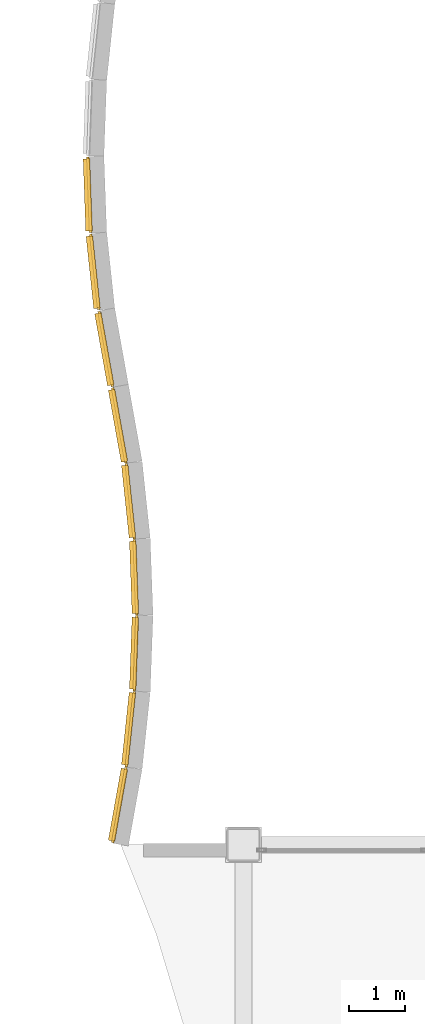
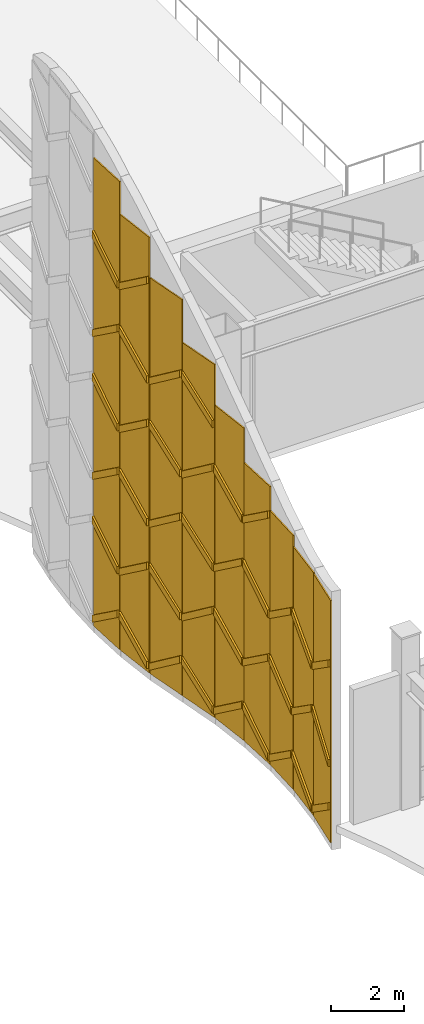
# One storey, part 156 of 172: 48 coverings.
"""IFC4 building model written with IfcOpenShell, lengths in metres."""

from ifc_helpers import new_model, si_unit, direction, frame, origin, origin_2d, place, context, subcontext, project, spatial, polyline, rectangle, outline, extrude, material, layer, layer_set, type_object, element, save


model = new_model("IFC4")

# Units and contexts
model_context = context("Model", 3, precision=1e-05, world=origin(), true_north=direction((0.0, 1.0)))
body_context = subcontext(model_context, "Body", "Model", "MODEL_VIEW")
ifc_project = project(units=[si_unit("LENGTHUNIT", "METRE"), si_unit("AREAUNIT", "SQUARE_METRE"), si_unit("VOLUMEUNIT", "CUBIC_METRE"), si_unit("PLANEANGLEUNIT", "RADIAN"), si_unit("MASSUNIT", "GRAM", prefix="KILO")], contexts=[model_context])

# Site, building, storey
site_placement = place(None, origin())
site = spatial("IfcSite", under=ifc_project, at=site_placement, CompositionType="ELEMENT")
building_placement = place(site_placement, origin())
building = spatial("IfcBuilding", under=site, at=building_placement, Name="Kazehara Bluff Congress Hotel", CompositionType="ELEMENT")
storey_placement = place(building_placement, frame((0.0, 0.0, 5.39990234375)))
storey = spatial("IfcBuildingStorey", under=building, at=storey_placement, Name="L01", CompositionType="ELEMENT", Elevation=5.39990234375)

# Coverings
ifc_material_1 = material(Name="Basalt stone-grey chevron ceramic tile", Category="masonry")
ifc_layer_1 = layer(ifc_material_1, 0.1201171875)
ifc_layer_set_1 = layer_set([ifc_layer_1], Name="Basalt stone-grey chevron ceramic tile")
covering_type_1 = type_object("IfcCoveringType", Name="TP-CHV-RIB", PredefinedType="CLADDING", material=ifc_layer_set_1)
covering_1_placement = place(storey_placement, frame((2.429931640625, 32.030029296875, -0.39990234375), z_axis=(0.0, 0.0, 1.0), x_axis=(0.176136726802, 0.984365711243, 0.0)))
element("IfcCovering", 1, at=covering_1_placement, inside=storey, type_object=covering_type_1, Name="Chevron stone-grey tile rib WR-BRG-01-1", PredefinedType="CLADDING", context=body_context, shape_type="SweptSolid", body=[
    extrude(outline(polyline([(0.0400390625, 0.945068359375), (1.35009765625, 0.0), (1.35009765625, 0.239990234375), (0.0400390625, 1.18505859375), (0.0400390625, 0.945068359375)])), frame((0.0, 0.06005859375, 0.0), z_axis=(0.0, -1.0, 0.0), x_axis=(1.0, 0.0, 0.0)), (0.0, 0.0, 1.0), 0.1201171875),
])
covering_2_placement = place(storey_placement, frame((2.429931640625, 32.030029296875, 2.0), z_axis=(0.0, 0.0, 1.0), x_axis=(0.176136726802, 0.984365711243, 0.0)))
element("IfcCovering", 2, at=covering_2_placement, inside=storey, type_object=covering_type_1, Name="Chevron stone-grey tile rib WR-BRG-01-2", PredefinedType="CLADDING", context=body_context, shape_type="SweptSolid", body=[
    extrude(outline(polyline([(0.0400390625, 0.0), (1.35009765625, 0.945068359375), (1.35009765625, 1.18505859375), (0.0400390625, 0.239990234375), (0.0400390625, 0.0)])), frame((0.0, 0.06005859375, 0.0), z_axis=(0.0, -1.0, 0.0), x_axis=(1.0, 0.0, 0.0)), (0.0, 0.0, 1.0), 0.1201171875),
])
covering_3_placement = place(storey_placement, frame((2.429931640625, 32.030029296875, 4.400146484375), z_axis=(0.0, 0.0, 1.0), x_axis=(0.176136726802, 0.984365711243, 0.0)))
element("IfcCovering", 3, at=covering_3_placement, inside=storey, type_object=covering_type_1, Name="Chevron stone-grey tile rib WR-BRG-01-3", PredefinedType="CLADDING", context=body_context, shape_type="SweptSolid", body=[
    extrude(outline(polyline([(0.0400390625, 0.945068359375), (1.35009765625, 0.0), (1.35009765625, 0.239990234375), (0.0400390625, 1.18505859375), (0.0400390625, 0.945068359375)])), frame((0.0, 0.06005859375, 0.0), z_axis=(0.0, -1.0, 0.0), x_axis=(1.0, 0.0, 0.0)), (0.0, 0.0, 1.0), 0.1201171875),
])
covering_4_placement = place(storey_placement, frame((2.669921875, 33.389892578125, -0.39990234375), z_axis=(0.0, 0.0, 1.0), x_axis=(0.10525666125, 0.994445089114, 0.0)))
element("IfcCovering", 4, at=covering_4_placement, inside=storey, type_object=covering_type_1, Name="Chevron stone-grey tile rib WR-BRG-02-1", PredefinedType="CLADDING", context=body_context, shape_type="SweptSolid", body=[
    extrude(outline(polyline([(0.0400390625, 0.0), (1.340087890625, 0.93505859375), (1.340087890625, 1.175048828125), (0.0400390625, 0.239990234375), (0.0400390625, 0.0)])), frame((0.0, 0.06005859375, 0.0), z_axis=(0.0, -1.0, 0.0), x_axis=(1.0, 0.0, 0.0)), (0.0, 0.0, 1.0), 0.1201171875),
])
covering_5_placement = place(storey_placement, frame((2.669921875, 33.389892578125, 2.0), z_axis=(0.0, 0.0, 1.0), x_axis=(0.10525666125, 0.994445089114, 0.0)))
element("IfcCovering", 5, at=covering_5_placement, inside=storey, type_object=covering_type_1, Name="Chevron stone-grey tile rib WR-BRG-02-2", PredefinedType="CLADDING", context=body_context, shape_type="SweptSolid", body=[
    extrude(outline(polyline([(0.0400390625, 0.93505859375), (1.340087890625, 0.0), (1.340087890625, 0.239990234375), (0.0400390625, 1.175048828125), (0.0400390625, 0.93505859375)])), frame((0.0, 0.06005859375, 0.0), z_axis=(0.0, -1.0, 0.0), x_axis=(1.0, 0.0, 0.0)), (0.0, 0.0, 1.0), 0.1201171875),
])
covering_6_placement = place(storey_placement, frame((2.669921875, 33.389892578125, 4.400146484375), z_axis=(0.0, 0.0, 1.0), x_axis=(0.10525666125, 0.994445089114, 0.0)))
element("IfcCovering", 6, at=covering_6_placement, inside=storey, type_object=covering_type_1, Name="Chevron stone-grey tile rib WR-BRG-02-3", PredefinedType="CLADDING", context=body_context, shape_type="SweptSolid", body=[
    extrude(outline(polyline([(0.0400390625, 0.0), (1.340087890625, 0.93505859375), (1.340087890625, 1.175048828125), (0.0400390625, 0.239990234375), (0.0400390625, 0.0)])), frame((0.0, 0.06005859375, 0.0), z_axis=(0.0, -1.0, 0.0), x_axis=(1.0, 0.0, 0.0)), (0.0, 0.0, 1.0), 0.1201171875),
])
covering_7_placement = place(storey_placement, frame((2.81494140625, 34.7451171875, -0.39990234375), z_axis=(0.0, 0.0, 1.0), x_axis=(0.036511016995, 0.999333250542, 0.0)))
element("IfcCovering", 7, at=covering_7_placement, inside=storey, type_object=covering_type_1, Name="Chevron stone-grey tile rib WR-BRG-03-1", PredefinedType="CLADDING", context=body_context, shape_type="SweptSolid", body=[
    extrude(outline(polyline([(0.0400390625, 0.929931640625), (1.330078125, 0.0), (1.330078125, 0.239990234375), (0.0400390625, 1.169921875), (0.0400390625, 0.929931640625)])), frame((0.0, 0.06005859375, 0.0), z_axis=(0.0, -1.0, 0.0), x_axis=(1.0, 0.0, 0.0)), (0.0, 0.0, 1.0), 0.1201171875),
])
covering_8_placement = place(storey_placement, frame((2.81494140625, 34.7451171875, 2.0), z_axis=(0.0, 0.0, 1.0), x_axis=(0.036511016995, 0.999333250542, 0.0)))
element("IfcCovering", 8, at=covering_8_placement, inside=storey, type_object=covering_type_1, Name="Chevron stone-grey tile rib WR-BRG-03-2", PredefinedType="CLADDING", context=body_context, shape_type="SweptSolid", body=[
    extrude(outline(polyline([(0.0400390625, 0.0), (1.330078125, 0.93017578125), (1.330078125, 1.170166015625), (0.0400390625, 0.239990234375), (0.0400390625, 0.0)])), frame((0.0, 0.06005859375, 0.0), z_axis=(0.0, -1.0, 0.0), x_axis=(1.0, 0.0, 0.0)), (0.0, 0.0, 1.0), 0.1201171875),
])
covering_9_placement = place(storey_placement, frame((2.81494140625, 34.7451171875, 4.400146484375), z_axis=(0.0, 0.0, 1.0), x_axis=(0.036511016995, 0.999333250542, 0.0)))
element("IfcCovering", 9, at=covering_9_placement, inside=storey, type_object=covering_type_1, Name="Chevron stone-grey tile rib WR-BRG-03-3", PredefinedType="CLADDING", context=body_context, shape_type="SweptSolid", body=[
    extrude(outline(polyline([(0.0400390625, 0.929931640625), (1.330078125, 0.0), (1.330078125, 0.239990234375), (0.0400390625, 1.169921875), (0.0400390625, 0.929931640625)])), frame((0.0, 0.06005859375, 0.0), z_axis=(0.0, -1.0, 0.0), x_axis=(1.0, 0.0, 0.0)), (0.0, 0.0, 1.0), 0.1201171875),
])
covering_10_placement = place(storey_placement, frame((2.864990234375, 36.10498046875, -0.39990234375), z_axis=(0.0, 0.0, 1.0), x_axis=(-0.036375059083, 0.999338208554, 0.0)))
element("IfcCovering", 10, at=covering_10_placement, inside=storey, type_object=covering_type_1, Name="Chevron stone-grey tile rib WR-BRG-04-1", PredefinedType="CLADDING", context=body_context, shape_type="SweptSolid", body=[
    extrude(outline(polyline([(0.0400390625, 0.0), (1.3349609375, 0.929931640625), (1.3349609375, 1.169921875), (0.0400390625, 0.239990234375), (0.0400390625, 0.0)])), frame((0.0, 0.06005859375, 0.0), z_axis=(0.0, -1.0, 0.0), x_axis=(1.0, 0.0, 0.0)), (0.0, 0.0, 1.0), 0.1201171875),
])
covering_11_placement = place(storey_placement, frame((2.864990234375, 36.10498046875, 2.0), z_axis=(0.0, 0.0, 1.0), x_axis=(-0.036375059083, 0.999338208554, 0.0)))
element("IfcCovering", 11, at=covering_11_placement, inside=storey, type_object=covering_type_1, Name="Chevron stone-grey tile rib WR-BRG-04-2", PredefinedType="CLADDING", context=body_context, shape_type="SweptSolid", body=[
    extrude(outline(polyline([(0.0400390625, 0.93017578125), (1.3349609375, 0.0), (1.3349609375, 0.239990234375), (0.0400390625, 1.170166015625), (0.0400390625, 0.93017578125)])), frame((0.0, 0.06005859375, 0.0), z_axis=(0.0, -1.0, 0.0), x_axis=(1.0, 0.0, 0.0)), (0.0, 0.0, 1.0), 0.1201171875),
])
covering_12_placement = place(storey_placement, frame((2.864990234375, 36.10498046875, 4.400146484375), z_axis=(0.0, 0.0, 1.0), x_axis=(-0.036375059083, 0.999338208554, 0.0)))
element("IfcCovering", 12, at=covering_12_placement, inside=storey, type_object=covering_type_1, Name="Chevron stone-grey tile rib WR-BRG-04-3", PredefinedType="CLADDING", context=body_context, shape_type="SweptSolid", body=[
    extrude(outline(polyline([(0.0400390625, 0.0), (1.3349609375, 0.929931640625), (1.3349609375, 1.169921875), (0.0400390625, 0.239990234375), (0.0400390625, 0.0)])), frame((0.0, 0.06005859375, 0.0), z_axis=(0.0, -1.0, 0.0), x_axis=(1.0, 0.0, 0.0)), (0.0, 0.0, 1.0), 0.1201171875),
])
covering_13_placement = place(storey_placement, frame((2.864990234375, 36.10498046875, 6.800048828125), z_axis=(0.0, 0.0, 1.0), x_axis=(-0.036375059083, 0.999338208554, 0.0)))
element("IfcCovering", 13, at=covering_13_placement, inside=storey, type_object=covering_type_1, Name="Chevron stone-grey tile rib WR-BRG-04-4", PredefinedType="CLADDING", context=body_context, shape_type="SweptSolid", body=[
    extrude(outline(polyline([(0.0400390625, 0.929931640625), (1.3349609375, 0.0), (1.3349609375, 0.239990234375), (0.0400390625, 1.170166015625), (0.0400390625, 0.929931640625)])), frame((0.0, 0.06005859375, 0.0), z_axis=(0.0, -1.0, 0.0), x_axis=(1.0, 0.0, 0.0)), (0.0, 0.0, 1.0), 0.1201171875),
])
covering_14_placement = place(storey_placement, frame((2.81494140625, 37.465087890625, -0.39990234375), z_axis=(0.0, 0.0, 1.0), x_axis=(-0.105275212349, 0.994443125405, 0.0)))
element("IfcCovering", 14, at=covering_14_placement, inside=storey, type_object=covering_type_1, Name="Chevron stone-grey tile rib WR-BRG-05-1", PredefinedType="CLADDING", context=body_context, shape_type="SweptSolid", body=[
    extrude(outline(polyline([(0.0400390625, 0.93505859375), (1.340087890625, 0.0), (1.340087890625, 0.239990234375), (0.0400390625, 1.175048828125), (0.0400390625, 0.93505859375)])), frame((0.0, 0.06005859375, 0.0), z_axis=(0.0, -1.0, 0.0), x_axis=(1.0, 0.0, 0.0)), (0.0, 0.0, 1.0), 0.1201171875),
])
covering_15_placement = place(storey_placement, frame((2.81494140625, 37.465087890625, 2.0), z_axis=(0.0, 0.0, 1.0), x_axis=(-0.105275212349, 0.994443125405, 0.0)))
element("IfcCovering", 15, at=covering_15_placement, inside=storey, type_object=covering_type_1, Name="Chevron stone-grey tile rib WR-BRG-05-2", PredefinedType="CLADDING", context=body_context, shape_type="SweptSolid", body=[
    extrude(outline(polyline([(0.0400390625, 0.0), (1.340087890625, 0.93505859375), (1.340087890625, 1.175048828125), (0.0400390625, 0.239990234375), (0.0400390625, 0.0)])), frame((0.0, 0.06005859375, 0.0), z_axis=(0.0, -1.0, 0.0), x_axis=(1.0, 0.0, 0.0)), (0.0, 0.0, 1.0), 0.1201171875),
])
covering_16_placement = place(storey_placement, frame((2.81494140625, 37.465087890625, 4.400146484375), z_axis=(0.0, 0.0, 1.0), x_axis=(-0.105275212349, 0.994443125405, 0.0)))
element("IfcCovering", 16, at=covering_16_placement, inside=storey, type_object=covering_type_1, Name="Chevron stone-grey tile rib WR-BRG-05-3", PredefinedType="CLADDING", context=body_context, shape_type="SweptSolid", body=[
    extrude(outline(polyline([(0.0400390625, 0.93505859375), (1.340087890625, 0.0), (1.340087890625, 0.239990234375), (0.0400390625, 1.175048828125), (0.0400390625, 0.93505859375)])), frame((0.0, 0.06005859375, 0.0), z_axis=(0.0, -1.0, 0.0), x_axis=(1.0, 0.0, 0.0)), (0.0, 0.0, 1.0), 0.1201171875),
])
covering_17_placement = place(storey_placement, frame((2.81494140625, 37.465087890625, 6.800048828125), z_axis=(0.0, 0.0, 1.0), x_axis=(-0.105275212349, 0.994443125405, 0.0)))
element("IfcCovering", 17, at=covering_17_placement, inside=storey, type_object=covering_type_1, Name="Chevron stone-grey tile rib WR-BRG-05-4", PredefinedType="CLADDING", context=body_context, shape_type="SweptSolid", body=[
    extrude(outline(polyline([(0.0400390625, 0.0), (1.340087890625, 0.93505859375), (1.340087890625, 1.175048828125), (0.0400390625, 0.239990234375), (0.0400390625, 0.0)])), frame((0.0, 0.06005859375, 0.0), z_axis=(0.0, -1.0, 0.0), x_axis=(1.0, 0.0, 0.0)), (0.0, 0.0, 1.0), 0.1201171875),
])
covering_18_placement = place(storey_placement, frame((2.675048828125, 38.824951171875, -0.39990234375), z_axis=(0.0, 0.0, 1.0), x_axis=(-0.176106314534, 0.984371152554, 0.0)))
element("IfcCovering", 18, at=covering_18_placement, inside=storey, type_object=covering_type_1, Name="Chevron stone-grey tile rib WR-BRG-06-1", PredefinedType="CLADDING", context=body_context, shape_type="SweptSolid", body=[
    extrude(outline(polyline([(0.0400390625, 0.0), (1.35009765625, 0.945068359375), (1.35009765625, 1.18505859375), (0.0400390625, 0.239990234375), (0.0400390625, 0.0)])), frame((0.0, 0.06005859375, 0.0), z_axis=(0.0, -1.0, 0.0), x_axis=(1.0, 0.0, 0.0)), (0.0, 0.0, 1.0), 0.1201171875),
])
covering_19_placement = place(storey_placement, frame((2.675048828125, 38.824951171875, 2.0), z_axis=(0.0, 0.0, 1.0), x_axis=(-0.176106314534, 0.984371152554, 0.0)))
element("IfcCovering", 19, at=covering_19_placement, inside=storey, type_object=covering_type_1, Name="Chevron stone-grey tile rib WR-BRG-06-2", PredefinedType="CLADDING", context=body_context, shape_type="SweptSolid", body=[
    extrude(outline(polyline([(0.0400390625, 0.945068359375), (1.35009765625, 0.0), (1.35009765625, 0.239990234375), (0.0400390625, 1.18505859375), (0.0400390625, 0.945068359375)])), frame((0.0, 0.06005859375, 0.0), z_axis=(0.0, -1.0, 0.0), x_axis=(1.0, 0.0, 0.0)), (0.0, 0.0, 1.0), 0.1201171875),
])
covering_20_placement = place(storey_placement, frame((2.675048828125, 38.824951171875, 4.400146484375), z_axis=(0.0, 0.0, 1.0), x_axis=(-0.176106314534, 0.984371152554, 0.0)))
element("IfcCovering", 20, at=covering_20_placement, inside=storey, type_object=covering_type_1, Name="Chevron stone-grey tile rib WR-BRG-06-3", PredefinedType="CLADDING", context=body_context, shape_type="SweptSolid", body=[
    extrude(outline(polyline([(0.0400390625, 0.0), (1.35009765625, 0.945068359375), (1.35009765625, 1.18505859375), (0.0400390625, 0.239990234375), (0.0400390625, 0.0)])), frame((0.0, 0.06005859375, 0.0), z_axis=(0.0, -1.0, 0.0), x_axis=(1.0, 0.0, 0.0)), (0.0, 0.0, 1.0), 0.1201171875),
])
covering_21_placement = place(storey_placement, frame((2.675048828125, 38.824951171875, 6.800048828125), z_axis=(0.0, 0.0, 1.0), x_axis=(-0.176106314534, 0.984371152554, 0.0)))
element("IfcCovering", 21, at=covering_21_placement, inside=storey, type_object=covering_type_1, Name="Chevron stone-grey tile rib WR-BRG-06-4", PredefinedType="CLADDING", context=body_context, shape_type="SweptSolid", body=[
    extrude(outline(polyline([(0.0400390625, 0.945068359375), (1.35009765625, 0.0), (1.35009765625, 0.239990234375), (0.0400390625, 1.18505859375), (0.0400390625, 0.945068359375)])), frame((0.0, 0.06005859375, 0.0), z_axis=(0.0, -1.0, 0.0), x_axis=(1.0, 0.0, 0.0)), (0.0, 0.0, 1.0), 0.1201171875),
])
covering_22_placement = place(storey_placement, frame((2.675048828125, 38.824951171875, 9.2001953125), z_axis=(0.0, 0.0, 1.0), x_axis=(-0.176106314534, 0.984371152554, 0.0)))
element("IfcCovering", 22, at=covering_22_placement, inside=storey, type_object=covering_type_1, Name="Chevron stone-grey tile rib WR-BRG-06-5", PredefinedType="CLADDING", context=body_context, shape_type="SweptSolid", body=[
    extrude(outline(polyline([(0.0400390625, 0.0), (1.35009765625, 0.94482421875), (1.35009765625, 1.184814453125), (0.0400390625, 0.239990234375), (0.0400390625, 0.0)])), frame((0.0, 0.06005859375, 0.0), z_axis=(0.0, -1.0, 0.0), x_axis=(1.0, 0.0, 0.0)), (0.0, 0.0, 1.0), 0.1201171875),
])
covering_23_placement = place(storey_placement, frame((2.429931640625, 40.195068359375, -0.39990234375), z_axis=(0.0, 0.0, 1.0), x_axis=(-0.175966726659, 0.98439611494, 0.0)))
element("IfcCovering", 23, at=covering_23_placement, inside=storey, type_object=covering_type_1, Name="Chevron stone-grey tile rib WR-BRG-07-1", PredefinedType="CLADDING", context=body_context, shape_type="SweptSolid", body=[
    extrude(outline(polyline([(0.0400390625, 0.945068359375), (1.35009765625, 0.0), (1.35009765625, 0.239990234375), (0.0400390625, 1.18505859375), (0.0400390625, 0.945068359375)])), frame((0.0, 0.06005859375, 0.0), z_axis=(0.0, -1.0, 0.0), x_axis=(1.0, 0.0, 0.0)), (0.0, 0.0, 1.0), 0.1201171875),
])
covering_24_placement = place(storey_placement, frame((2.429931640625, 40.195068359375, 2.0), z_axis=(0.0, 0.0, 1.0), x_axis=(-0.175966726659, 0.98439611494, 0.0)))
element("IfcCovering", 24, at=covering_24_placement, inside=storey, type_object=covering_type_1, Name="Chevron stone-grey tile rib WR-BRG-07-2", PredefinedType="CLADDING", context=body_context, shape_type="SweptSolid", body=[
    extrude(outline(polyline([(0.0400390625, 0.0), (1.35009765625, 0.945068359375), (1.35009765625, 1.18505859375), (0.0400390625, 0.239990234375), (0.0400390625, 0.0)])), frame((0.0, 0.06005859375, 0.0), z_axis=(0.0, -1.0, 0.0), x_axis=(1.0, 0.0, 0.0)), (0.0, 0.0, 1.0), 0.1201171875),
])
covering_25_placement = place(storey_placement, frame((2.429931640625, 40.195068359375, 4.400146484375), z_axis=(0.0, 0.0, 1.0), x_axis=(-0.175966726659, 0.98439611494, 0.0)))
element("IfcCovering", 25, at=covering_25_placement, inside=storey, type_object=covering_type_1, Name="Chevron stone-grey tile rib WR-BRG-07-3", PredefinedType="CLADDING", context=body_context, shape_type="SweptSolid", body=[
    extrude(outline(polyline([(0.0400390625, 0.945068359375), (1.35009765625, 0.0), (1.35009765625, 0.239990234375), (0.0400390625, 1.18505859375), (0.0400390625, 0.945068359375)])), frame((0.0, 0.06005859375, 0.0), z_axis=(0.0, -1.0, 0.0), x_axis=(1.0, 0.0, 0.0)), (0.0, 0.0, 1.0), 0.1201171875),
])
covering_26_placement = place(storey_placement, frame((2.429931640625, 40.195068359375, 6.800048828125), z_axis=(0.0, 0.0, 1.0), x_axis=(-0.175966726659, 0.98439611494, 0.0)))
element("IfcCovering", 26, at=covering_26_placement, inside=storey, type_object=covering_type_1, Name="Chevron stone-grey tile rib WR-BRG-07-4", PredefinedType="CLADDING", context=body_context, shape_type="SweptSolid", body=[
    extrude(outline(polyline([(0.0400390625, 0.0), (1.35009765625, 0.945068359375), (1.35009765625, 1.18505859375), (0.0400390625, 0.239990234375), (0.0400390625, 0.0)])), frame((0.0, 0.06005859375, 0.0), z_axis=(0.0, -1.0, 0.0), x_axis=(1.0, 0.0, 0.0)), (0.0, 0.0, 1.0), 0.1201171875),
])
covering_27_placement = place(storey_placement, frame((2.429931640625, 40.195068359375, 9.2001953125), z_axis=(0.0, 0.0, 1.0), x_axis=(-0.175966726659, 0.98439611494, 0.0)))
element("IfcCovering", 27, at=covering_27_placement, inside=storey, type_object=covering_type_1, Name="Chevron stone-grey tile rib WR-BRG-07-5", PredefinedType="CLADDING", context=body_context, shape_type="SweptSolid", body=[
    extrude(outline(polyline([(0.0400390625, 0.94482421875), (1.35009765625, 0.0), (1.35009765625, 0.239990234375), (0.0400390625, 1.184814453125), (0.0400390625, 0.94482421875)])), frame((0.0, 0.06005859375, 0.0), z_axis=(0.0, -1.0, 0.0), x_axis=(1.0, 0.0, 0.0)), (0.0, 0.0, 1.0), 0.1201171875),
])
covering_28_placement = place(storey_placement, frame((2.179931640625, 41.574951171875, -0.39990234375), z_axis=(0.0, 0.0, 1.0), x_axis=(-0.10525666125, 0.994445089114, 0.0)))
element("IfcCovering", 28, at=covering_28_placement, inside=storey, type_object=covering_type_1, Name="Chevron stone-grey tile rib WR-BRG-08-1", PredefinedType="CLADDING", context=body_context, shape_type="SweptSolid", body=[
    extrude(outline(polyline([(0.0400390625, 0.0), (1.340087890625, 0.93505859375), (1.340087890625, 1.175048828125), (0.0400390625, 0.239990234375), (0.0400390625, 0.0)])), frame((0.0, 0.06005859375, 0.0), z_axis=(0.0, -1.0, 0.0), x_axis=(1.0, 0.0, 0.0)), (0.0, 0.0, 1.0), 0.1201171875),
])
covering_29_placement = place(storey_placement, frame((2.179931640625, 41.574951171875, 2.0), z_axis=(0.0, 0.0, 1.0), x_axis=(-0.10525666125, 0.994445089114, 0.0)))
element("IfcCovering", 29, at=covering_29_placement, inside=storey, type_object=covering_type_1, Name="Chevron stone-grey tile rib WR-BRG-08-2", PredefinedType="CLADDING", context=body_context, shape_type="SweptSolid", body=[
    extrude(outline(polyline([(0.0400390625, 0.93505859375), (1.340087890625, 0.0), (1.340087890625, 0.239990234375), (0.0400390625, 1.175048828125), (0.0400390625, 0.93505859375)])), frame((0.0, 0.06005859375, 0.0), z_axis=(0.0, -1.0, 0.0), x_axis=(1.0, 0.0, 0.0)), (0.0, 0.0, 1.0), 0.1201171875),
])
covering_30_placement = place(storey_placement, frame((2.179931640625, 41.574951171875, 4.400146484375), z_axis=(0.0, 0.0, 1.0), x_axis=(-0.10525666125, 0.994445089114, 0.0)))
element("IfcCovering", 30, at=covering_30_placement, inside=storey, type_object=covering_type_1, Name="Chevron stone-grey tile rib WR-BRG-08-3", PredefinedType="CLADDING", context=body_context, shape_type="SweptSolid", body=[
    extrude(outline(polyline([(0.0400390625, 0.0), (1.340087890625, 0.93505859375), (1.340087890625, 1.175048828125), (0.0400390625, 0.239990234375), (0.0400390625, 0.0)])), frame((0.0, 0.06005859375, 0.0), z_axis=(0.0, -1.0, 0.0), x_axis=(1.0, 0.0, 0.0)), (0.0, 0.0, 1.0), 0.1201171875),
])
covering_31_placement = place(storey_placement, frame((2.179931640625, 41.574951171875, 6.800048828125), z_axis=(0.0, 0.0, 1.0), x_axis=(-0.10525666125, 0.994445089114, 0.0)))
element("IfcCovering", 31, at=covering_31_placement, inside=storey, type_object=covering_type_1, Name="Chevron stone-grey tile rib WR-BRG-08-4", PredefinedType="CLADDING", context=body_context, shape_type="SweptSolid", body=[
    extrude(outline(polyline([(0.0400390625, 0.93505859375), (1.340087890625, 0.0), (1.340087890625, 0.239990234375), (0.0400390625, 1.175048828125), (0.0400390625, 0.93505859375)])), frame((0.0, 0.06005859375, 0.0), z_axis=(0.0, -1.0, 0.0), x_axis=(1.0, 0.0, 0.0)), (0.0, 0.0, 1.0), 0.1201171875),
])
covering_32_placement = place(storey_placement, frame((2.179931640625, 41.574951171875, 9.2001953125), z_axis=(0.0, 0.0, 1.0), x_axis=(-0.10525666125, 0.994445089114, 0.0)))
element("IfcCovering", 32, at=covering_32_placement, inside=storey, type_object=covering_type_1, Name="Chevron stone-grey tile rib WR-BRG-08-5", PredefinedType="CLADDING", context=body_context, shape_type="SweptSolid", body=[
    extrude(outline(polyline([(0.0400390625, 0.0), (1.340087890625, 0.934814453125), (1.340087890625, 1.1748046875), (0.0400390625, 0.239990234375), (0.0400390625, 0.0)])), frame((0.0, 0.06005859375, 0.0), z_axis=(0.0, -1.0, 0.0), x_axis=(1.0, 0.0, 0.0)), (0.0, 0.0, 1.0), 0.1201171875),
])
covering_33_placement = place(storey_placement, frame((2.179931640625, 41.574951171875, 11.60009765625), z_axis=(0.0, 0.0, 1.0), x_axis=(-0.10525666125, 0.994445089114, 0.0)))
element("IfcCovering", 33, at=covering_33_placement, inside=storey, type_object=covering_type_1, Name="Chevron stone-grey tile rib WR-BRG-08-6", PredefinedType="CLADDING", context=body_context, shape_type="SweptSolid", body=[
    extrude(outline(polyline([(0.0400390625, 0.93505859375), (1.340087890625, 0.0), (1.340087890625, 0.239990234375), (0.0400390625, 1.175048828125), (0.0400390625, 0.93505859375)])), frame((0.0, 0.06005859375, 0.0), z_axis=(0.0, -1.0, 0.0), x_axis=(1.0, 0.0, 0.0)), (0.0, 0.0, 1.0), 0.1201171875),
])
covering_34_placement = place(storey_placement, frame((2.034912109375, 42.9599609375, -0.39990234375), z_axis=(0.0, 0.0, 1.0), x_axis=(-0.036197852835, 0.999344642979, 0.0)))
element("IfcCovering", 34, at=covering_34_placement, inside=storey, type_object=covering_type_1, Name="Chevron stone-grey tile rib WR-BRG-09-1", PredefinedType="CLADDING", context=body_context, shape_type="SweptSolid", body=[
    extrude(outline(polyline([(0.0400390625, 0.929931640625), (1.3349609375, 0.0), (1.3349609375, 0.239990234375), (0.0400390625, 1.169921875), (0.0400390625, 0.929931640625)])), frame((0.0, 0.06005859375, 0.0), z_axis=(0.0, -1.0, 0.0), x_axis=(1.0, 0.0, 0.0)), (0.0, 0.0, 1.0), 0.1201171875),
])
covering_35_placement = place(storey_placement, frame((2.034912109375, 42.9599609375, 2.0), z_axis=(0.0, 0.0, 1.0), x_axis=(-0.036197852835, 0.999344642979, 0.0)))
element("IfcCovering", 35, at=covering_35_placement, inside=storey, type_object=covering_type_1, Name="Chevron stone-grey tile rib WR-BRG-09-2", PredefinedType="CLADDING", context=body_context, shape_type="SweptSolid", body=[
    extrude(outline(polyline([(0.0400390625, 0.0), (1.3349609375, 0.93017578125), (1.3349609375, 1.170166015625), (0.0400390625, 0.239990234375), (0.0400390625, 0.0)])), frame((0.0, 0.06005859375, 0.0), z_axis=(0.0, -1.0, 0.0), x_axis=(1.0, 0.0, 0.0)), (0.0, 0.0, 1.0), 0.1201171875),
])
covering_36_placement = place(storey_placement, frame((2.034912109375, 42.9599609375, 4.400146484375), z_axis=(0.0, 0.0, 1.0), x_axis=(-0.036197852835, 0.999344642979, 0.0)))
element("IfcCovering", 36, at=covering_36_placement, inside=storey, type_object=covering_type_1, Name="Chevron stone-grey tile rib WR-BRG-09-3", PredefinedType="CLADDING", context=body_context, shape_type="SweptSolid", body=[
    extrude(outline(polyline([(0.0400390625, 0.929931640625), (1.3349609375, 0.0), (1.3349609375, 0.239990234375), (0.0400390625, 1.169921875), (0.0400390625, 0.929931640625)])), frame((0.0, 0.06005859375, 0.0), z_axis=(0.0, -1.0, 0.0), x_axis=(1.0, 0.0, 0.0)), (0.0, 0.0, 1.0), 0.1201171875),
])
covering_37_placement = place(storey_placement, frame((2.034912109375, 42.9599609375, 6.800048828125), z_axis=(0.0, 0.0, 1.0), x_axis=(-0.036197852835, 0.999344642979, 0.0)))
element("IfcCovering", 37, at=covering_37_placement, inside=storey, type_object=covering_type_1, Name="Chevron stone-grey tile rib WR-BRG-09-4", PredefinedType="CLADDING", context=body_context, shape_type="SweptSolid", body=[
    extrude(outline(polyline([(0.0400390625, 0.0), (1.3349609375, 0.929931640625), (1.3349609375, 1.170166015625), (0.0400390625, 0.239990234375), (0.0400390625, 0.0)])), frame((0.0, 0.06005859375, 0.0), z_axis=(0.0, -1.0, 0.0), x_axis=(1.0, 0.0, 0.0)), (0.0, 0.0, 1.0), 0.1201171875),
])
covering_38_placement = place(storey_placement, frame((2.034912109375, 42.9599609375, 9.2001953125), z_axis=(0.0, 0.0, 1.0), x_axis=(-0.036197852835, 0.999344642979, 0.0)))
element("IfcCovering", 38, at=covering_38_placement, inside=storey, type_object=covering_type_1, Name="Chevron stone-grey tile rib WR-BRG-09-5", PredefinedType="CLADDING", context=body_context, shape_type="SweptSolid", body=[
    extrude(outline(polyline([(0.0400390625, 0.929931640625), (1.3349609375, 0.0), (1.3349609375, 0.239990234375), (0.0400390625, 1.169921875), (0.0400390625, 0.929931640625)])), frame((0.0, 0.06005859375, 0.0), z_axis=(0.0, -1.0, 0.0), x_axis=(1.0, 0.0, 0.0)), (0.0, 0.0, 1.0), 0.1201171875),
])
covering_39_placement = place(storey_placement, frame((2.034912109375, 42.9599609375, 11.60009765625), z_axis=(0.0, 0.0, 1.0), x_axis=(-0.036197852835, 0.999344642979, 0.0)))
element("IfcCovering", 39, at=covering_39_placement, inside=storey, type_object=covering_type_1, Name="Chevron stone-grey tile rib WR-BRG-09-6", PredefinedType="CLADDING", context=body_context, shape_type="SweptSolid", body=[
    extrude(outline(polyline([(0.0400390625, 0.0), (1.3349609375, 0.929931640625), (1.3349609375, 1.169921875), (0.0400390625, 0.239990234375), (0.0400390625, 0.0)])), frame((0.0, 0.06005859375, 0.0), z_axis=(0.0, -1.0, 0.0), x_axis=(1.0, 0.0, 0.0)), (0.0, 0.0, 1.0), 0.1201171875),
])
ifc_material_2 = material(Name="Stone-grey ceramic rainscreen", Category="masonry")
ifc_layer_2 = layer(ifc_material_2, 0.044921875)
ifc_layer_set_2 = layer_set([ifc_layer_2], Name="Stone-grey ceramic rainscreen")
covering_type_2 = type_object("IfcCoveringType", Name="TP-CLD-01", PredefinedType="CLADDING", material=ifc_layer_set_2)
covering_40_placement = place(storey_placement, frame((2.574951171875, 32.7099609375, -0.552490234375), z_axis=(0.0, 0.0, 1.0), x_axis=(0.176038533545, 0.984383276324, 0.0)))
element("IfcCovering", 40, at=covering_40_placement, inside=storey, type_object=covering_type_2, Name="Chevron stone-grey ceramic cladding WR-BRG-01", PredefinedType="CLADDING", context=body_context, shape_type="SweptSolid", body=[
    extrude(rectangle(XDim=1.3701171875, YDim=0.044921875, at=origin_2d()), origin(), (0.0, 0.0, 1.0), 8.14501953125),
])
covering_41_placement = place(storey_placement, frame((2.77001953125, 34.070068359375, -0.54736328125), z_axis=(0.0, 0.0, 1.0), x_axis=(0.105252250841, 0.994445555922, 0.0)))
element("IfcCovering", 41, at=covering_41_placement, inside=storey, type_object=covering_type_2, Name="Chevron stone-grey ceramic cladding WR-BRG-02", PredefinedType="CLADDING", context=body_context, shape_type="SweptSolid", body=[
    extrude(rectangle(XDim=1.360107421875, YDim=0.044921875, at=origin_2d()), origin(), (0.0, 0.0, 1.0), 8.1650390625),
])
covering_42_placement = place(storey_placement, frame((2.864990234375, 35.429931640625, -0.54736328125), z_axis=(0.0, 0.0, 1.0), x_axis=(0.036472780778, 0.999334646784, 0.0)))
element("IfcCovering", 42, at=covering_42_placement, inside=storey, type_object=covering_type_2, Name="Chevron stone-grey ceramic cladding WR-BRG-03", PredefinedType="CLADDING", context=body_context, shape_type="SweptSolid", body=[
    extrude(rectangle(XDim=1.35009765625, YDim=0.044921875, at=origin_2d()), origin(), (0.0, 0.0, 1.0), 8.534912109375),
])
covering_43_placement = place(storey_placement, frame((2.864990234375, 36.7900390625, -0.5498046875), z_axis=(0.0, 0.0, 1.0), x_axis=(-0.03634022369, 0.999339475925, 0.0)))
element("IfcCovering", 43, at=covering_43_placement, inside=storey, type_object=covering_type_2, Name="Chevron stone-grey ceramic cladding WR-BRG-04", PredefinedType="CLADDING", context=body_context, shape_type="SweptSolid", body=[
    extrude(rectangle(XDim=1.35498046875, YDim=0.044921875, at=origin_2d()), origin(), (0.0, 0.0, 1.0), 9.340087890625),
])
covering_44_placement = place(storey_placement, frame((2.77001953125, 38.155029296875, -0.5498046875), z_axis=(0.0, 0.0, 1.0), x_axis=(-0.105252250841, 0.994445555922, 0.0)))
element("IfcCovering", 44, at=covering_44_placement, inside=storey, type_object=covering_type_2, Name="Chevron stone-grey ceramic cladding WR-BRG-05", PredefinedType="CLADDING", context=body_context, shape_type="SweptSolid", body=[
    extrude(rectangle(XDim=1.360107421875, YDim=0.044921875, at=origin_2d()), origin(), (0.0, 0.0, 1.0), 10.5),
])
covering_45_placement = place(storey_placement, frame((2.574951171875, 39.514892578125, -0.55224609375), z_axis=(0.0, 0.0, 1.0), x_axis=(-0.176038533545, 0.984383276324, 0.0)))
element("IfcCovering", 45, at=covering_45_placement, inside=storey, type_object=covering_type_2, Name="Chevron stone-grey ceramic cladding WR-BRG-06", PredefinedType="CLADDING", context=body_context, shape_type="SweptSolid", body=[
    extrude(rectangle(XDim=1.3701171875, YDim=0.044921875, at=origin_2d()), origin(), (0.0, 0.0, 1.0), 11.864990234375),
])
covering_46_placement = place(storey_placement, frame((2.330078125, 40.885009765625, -0.5498046875), z_axis=(0.0, 0.0, 1.0), x_axis=(-0.176038533545, 0.984383276324, 0.0)))
element("IfcCovering", 46, at=covering_46_placement, inside=storey, type_object=covering_type_2, Name="Chevron stone-grey ceramic cladding WR-BRG-07", PredefinedType="CLADDING", context=body_context, shape_type="SweptSolid", body=[
    extrude(rectangle(XDim=1.3701171875, YDim=0.044921875, at=origin_2d()), origin(), (0.0, 0.0, 1.0), 13.300048828125),
])
covering_47_placement = place(storey_placement, frame((2.135009765625, 42.264892578125, -0.54736328125), z_axis=(0.0, 0.0, 1.0), x_axis=(-0.105252250841, 0.994445555922, 0.0)))
element("IfcCovering", 47, at=covering_47_placement, inside=storey, type_object=covering_type_2, Name="Chevron stone-grey ceramic cladding WR-BRG-08", PredefinedType="CLADDING", context=body_context, shape_type="SweptSolid", body=[
    extrude(rectangle(XDim=1.360107421875, YDim=0.044921875, at=origin_2d()), origin(), (0.0, 0.0, 1.0), 14.635009765625),
])
covering_48_placement = place(storey_placement, frame((2.034912109375, 43.64501953125, -0.5498046875), z_axis=(0.0, 0.0, 1.0), x_axis=(-0.03634022369, 0.999339475925, 0.0)))
element("IfcCovering", 48, at=covering_48_placement, inside=storey, type_object=covering_type_2, Name="Chevron stone-grey ceramic cladding WR-BRG-09", PredefinedType="CLADDING", context=body_context, shape_type="SweptSolid", body=[
    extrude(rectangle(XDim=1.35498046875, YDim=0.044921875, at=origin_2d()), origin(), (0.0, 0.0, 1.0), 15.72998046875),
])

save(model, "model.ifc")
